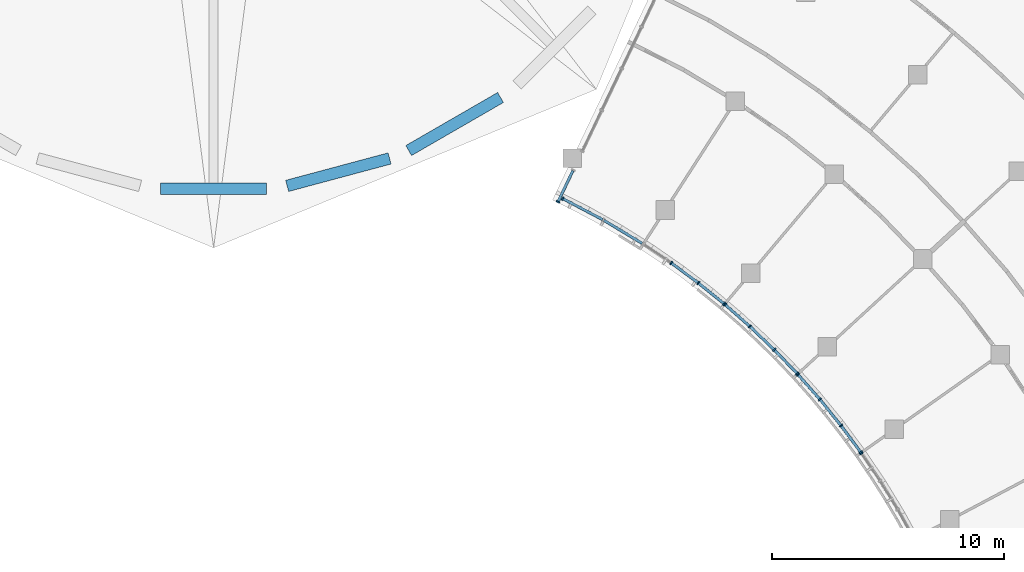
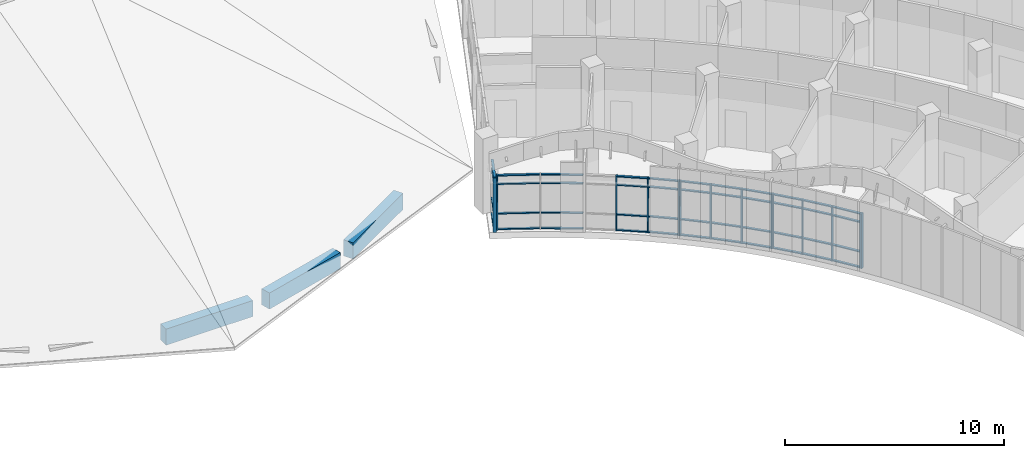
# One storey, part 7 of 137: 58 members, 3 beams, 6 elements without a shape of their own.
"""IFC4 building model written with IfcOpenShell, lengths in metres."""

from ifc_helpers import new_model, si_unit, direction, frame, origin, origin_2d, place, context, subcontext, project, spatial, rectangle, extrude, material, material_profile, profile_set, type_object, element, aggregate, save


model = new_model("IFC4")

# Units and contexts
model_context = context("Model", 3, precision=1e-05, world=origin(), true_north=direction((0.0, 1.0)))
body_context = subcontext(model_context, "Body", "Model", "MODEL_VIEW")
ifc_project = project(units=[si_unit("LENGTHUNIT", "METRE"), si_unit("AREAUNIT", "SQUARE_METRE"), si_unit("VOLUMEUNIT", "CUBIC_METRE"), si_unit("PLANEANGLEUNIT", "RADIAN"), si_unit("MASSUNIT", "GRAM", prefix="KILO")], contexts=[model_context])

# Site, building, storey
site_placement = place(None, origin())
site = spatial("IfcSite", under=ifc_project, at=site_placement, CompositionType="ELEMENT")
building_placement = place(site_placement, origin())
building = spatial("IfcBuilding", under=site, at=building_placement, Name="Bougainvillea Quay General Hospital", CompositionType="ELEMENT")
storey_placement = place(building_placement, frame((0.0, 0.0, 16.800048828125)))
storey = spatial("IfcBuildingStorey", under=building, at=storey_placement, Name="L03", CompositionType="ELEMENT", Elevation=16.800048828125)

# Curtain wall, member
ifc_material_1 = material(Name="Aluminium curtain wall system, powder-coated glazed", Category="aluminium")
curtain_wall_type_1 = type_object("IfcCurtainWallType", Name="Unitised curtain wall CW-1580", PredefinedType="NOTDEFINED", material=ifc_material_1)
curtain_wall_1_placement = place(storey_placement, origin())
curtain_wall_1 = element("IfcCurtainWall", 1, at=curtain_wall_1_placement, inside=storey, type_object=curtain_wall_type_1, Name="CW-AE 03", PredefinedType="NOTDEFINED")
ifc_material_2 = material(Name="Aluminium mullion, powder-coated charcoal", Category="aluminium")
ifc_material_profile_1 = material_profile(ifc_material_2, rectangle(XDim=0.159912109375, YDim=0.06005859375, at=origin_2d()))
ifc_profile_set_1 = profile_set([ifc_material_profile_1], Name="Aluminium mullion, powder-coated charcoal")
member_type_1 = type_object("IfcMemberType", Name="Curtain wall mullion 160x60", PredefinedType="MULLION", material=ifc_profile_set_1)
member_1_placement = place(storey_placement, frame((124.075439453125, 52.607421875, 0.0), z_axis=(0.0, 0.0, 1.0), x_axis=(0.902578440897, -0.430525444112, 0.0)))
member_1 = element("IfcMember", 2, at=member_1_placement, type_object=member_type_1, Name="CW-AE mullion 2", PredefinedType="MULLION", context=body_context, shape_type="SweptSolid", body=[
    extrude(rectangle(XDim=0.159912109375, YDim=0.06005859375, at=origin_2d()), origin(), (0.0, 0.0, 1.0), 3.050048828125),
])

curtain_wall_type_2 = type_object("IfcCurtainWallType", Name="Unitised curtain wall CW-2100", PredefinedType="NOTDEFINED", material=ifc_material_1)
curtain_wall_2_placement = place(storey_placement, origin())
curtain_wall_2 = element("IfcCurtainWall", 3, at=curtain_wall_2_placement, inside=storey, type_object=curtain_wall_type_2, Name="CW-E01 a12b0", PredefinedType="NOTDEFINED")
member_2_placement = place(storey_placement, frame((124.279541015625, 52.750732421875, 0.0), z_axis=(0.0, 0.0, 1.0), x_axis=(0.46572625668, 0.884928841116, 0.0)))
member_2 = element("IfcMember", 4, at=member_2_placement, type_object=member_type_1, Name="CW-E01 mullion 1", PredefinedType="MULLION", context=body_context, shape_type="SweptSolid", body=[
    extrude(rectangle(XDim=0.159912109375, YDim=0.06005859375, at=origin_2d()), origin(), (0.0, 0.0, 1.0), 3.050048828125),
])

# Curtain wall, members
curtain_wall_3_placement = place(storey_placement, origin())
curtain_wall_3 = element("IfcCurtainWall", 5, at=curtain_wall_3_placement, inside=storey, type_object=curtain_wall_type_2, Name="CW-E02 a12b1", PredefinedType="NOTDEFINED")
member_3_placement = place(storey_placement, frame((128.966796875, 49.97021484375, 0.0), z_axis=(0.0, 0.0, 1.0), x_axis=(0.577135687937, 0.816648270499, 0.0)))
member_3 = element("IfcMember", 6, at=member_3_placement, type_object=member_type_1, Name="CW-E02 mullion 2", PredefinedType="MULLION", context=body_context, shape_type="SweptSolid", body=[
    extrude(rectangle(XDim=0.159912109375, YDim=0.06005859375, at=origin_2d()), origin(), (0.0, 0.0, 1.0), 3.050048828125),
])
member_4_placement = place(storey_placement, frame((130.138427734375, 49.104248046875, 0.0), z_axis=(0.0, 0.0, 1.0), x_axis=(0.611342897557, 0.791365820343, 0.0)))
member_4 = element("IfcMember", 7, at=member_4_placement, type_object=member_type_1, Name="CW-E02 mullion 3", PredefinedType="MULLION", context=body_context, shape_type="SweptSolid", body=[
    extrude(rectangle(XDim=0.159912109375, YDim=0.06005859375, at=origin_2d()), origin(), (0.0, 0.0, 1.0), 3.050048828125),
])
member_5_placement = place(storey_placement, frame((131.248779296875, 48.2080078125, 0.0), z_axis=(0.0, 0.0, 1.0), x_axis=(0.628035497086, 0.778184691702, 0.0)))
member_5 = element("IfcMember", 8, at=member_5_placement, type_object=member_type_1, Name="CW-E02 mullion 4", PredefinedType="MULLION", context=body_context, shape_type="SweptSolid", body=[
    extrude(rectangle(XDim=0.159912109375, YDim=0.06005859375, at=origin_2d()), origin(), (0.0, 0.0, 1.0), 3.050048828125),
])

curtain_wall_4_placement = place(storey_placement, origin())
curtain_wall_4 = element("IfcCurtainWall", 9, at=curtain_wall_4_placement, inside=storey, type_object=curtain_wall_type_2, Name="CW-E03 a12b2", PredefinedType="NOTDEFINED")
member_6_placement = place(storey_placement, frame((131.294677734375, 48.16943359375, 0.0), z_axis=(0.0, 0.0, 1.0), x_axis=(0.660560931643, 0.750772439283, 0.0)))
member_6 = element("IfcMember", 10, at=member_6_placement, type_object=member_type_1, Name="CW-E03 mullion 1", PredefinedType="MULLION", context=body_context, shape_type="SweptSolid", body=[
    extrude(rectangle(XDim=0.159912109375, YDim=0.06005859375, at=origin_2d()), origin(), (0.0, 0.0, 1.0), 3.050048828125),
])
member_7_placement = place(storey_placement, frame((132.365966796875, 47.226806640625, 0.0), z_axis=(0.0, 0.0, 1.0), x_axis=(0.676379052625, 0.736553716419, 0.0)))
member_7 = element("IfcMember", 11, at=member_7_placement, type_object=member_type_1, Name="CW-E03 mullion 2", PredefinedType="MULLION", context=body_context, shape_type="SweptSolid", body=[
    extrude(rectangle(XDim=0.159912109375, YDim=0.06005859375, at=origin_2d()), origin(), (0.0, 0.0, 1.0), 3.050048828125),
])
member_8_placement = place(storey_placement, frame((133.417724609375, 46.218994140625, 0.0), z_axis=(0.0, 0.0, 1.0), x_axis=(0.707090325877, 0.707123236113, 0.0)))
member_8 = element("IfcMember", 12, at=member_8_placement, type_object=member_type_1, Name="CW-E03 mullion 3", PredefinedType="MULLION", context=body_context, shape_type="SweptSolid", body=[
    extrude(rectangle(XDim=0.159912109375, YDim=0.06005859375, at=origin_2d()), origin(), (0.0, 0.0, 1.0), 3.050048828125),
])
member_9_placement = place(storey_placement, frame((134.405029296875, 45.188720703125, 0.0), z_axis=(0.0, 0.0, 1.0), x_axis=(0.721969584803, 0.691924792604, 0.0)))
member_9 = element("IfcMember", 13, at=member_9_placement, type_object=member_type_1, Name="CW-E03 mullion 4", PredefinedType="MULLION", context=body_context, shape_type="SweptSolid", body=[
    extrude(rectangle(XDim=0.159912109375, YDim=0.06005859375, at=origin_2d()), origin(), (0.0, 0.0, 1.0), 3.050048828125),
])

curtain_wall_5_placement = place(storey_placement, origin())
curtain_wall_5 = element("IfcCurtainWall", 14, at=curtain_wall_5_placement, inside=storey, type_object=curtain_wall_type_2, Name="CW-E04 a12b3", PredefinedType="NOTDEFINED")
member_10_placement = place(storey_placement, frame((134.445556640625, 45.14453125, 0.0), z_axis=(0.0, 0.0, 1.0), x_axis=(0.750741694576, 0.660595873455, 0.0)))
member_10 = element("IfcMember", 15, at=member_10_placement, type_object=member_type_1, Name="CW-E04 mullion 1", PredefinedType="MULLION", context=body_context, shape_type="SweptSolid", body=[
    extrude(rectangle(XDim=0.159912109375, YDim=0.06005859375, at=origin_2d()), origin(), (0.0, 0.0, 1.0), 3.050048828125),
])
member_11_placement = place(storey_placement, frame((135.38818359375, 44.073486328125, 0.0), z_axis=(0.0, 0.0, 1.0), x_axis=(0.764621529328, 0.644479570575, 0.0)))
member_11 = element("IfcMember", 16, at=member_11_placement, type_object=member_type_1, Name="CW-E04 mullion 2", PredefinedType="MULLION", context=body_context, shape_type="SweptSolid", body=[
    extrude(rectangle(XDim=0.159912109375, YDim=0.06005859375, at=origin_2d()), origin(), (0.0, 0.0, 1.0), 3.050048828125),
])
member_12_placement = place(storey_placement, frame((136.30322265625, 42.939697265625, 0.0), z_axis=(0.0, 0.0, 1.0), x_axis=(0.791337366302, 0.611379728723, 0.0)))
member_12 = element("IfcMember", 17, at=member_12_placement, type_object=member_type_1, Name="CW-E04 mullion 3", PredefinedType="MULLION", context=body_context, shape_type="SweptSolid", body=[
    extrude(rectangle(XDim=0.159912109375, YDim=0.06005859375, at=origin_2d()), origin(), (0.0, 0.0, 1.0), 3.050048828125),
])
member_13_placement = place(storey_placement, frame((137.1513671875, 41.792236328125, 0.0), z_axis=(0.0, 0.0, 1.0), x_axis=(0.804161282658, 0.594411163652, 0.0)))
member_13 = element("IfcMember", 18, at=member_13_placement, type_object=member_type_1, Name="CW-E04 mullion 4", PredefinedType="MULLION", context=body_context, shape_type="SweptSolid", body=[
    extrude(rectangle(XDim=0.159912109375, YDim=0.06005859375, at=origin_2d()), origin(), (0.0, 0.0, 1.0), 3.050048828125),
])

# Curtain wall, member
curtain_wall_6_placement = place(storey_placement, origin())
curtain_wall_6 = element("IfcCurtainWall", 19, at=curtain_wall_6_placement, inside=storey, type_object=curtain_wall_type_2, Name="CW-E05 a12b4", PredefinedType="NOTDEFINED")
member_14_placement = place(storey_placement, frame((137.18603515625, 41.743408203125, 0.0), z_axis=(0.0, 0.0, 1.0), x_axis=(0.828712107033, 0.559675123314, 0.0)))
member_14 = element("IfcMember", 20, at=member_14_placement, type_object=member_type_1, Name="CW-E05 mullion 1", PredefinedType="MULLION", context=body_context, shape_type="SweptSolid", body=[
    extrude(rectangle(XDim=0.159912109375, YDim=0.06005859375, at=origin_2d()), origin(), (0.0, 0.0, 1.0), 3.050048828125),
])
aggregate(curtain_wall_6, [member_14])

# Member
ifc_material_3 = material(Name="Aluminium transom, powder-coated charcoal", Category="aluminium")
ifc_material_profile_2 = material_profile(ifc_material_3, rectangle(XDim=0.1201171875, YDim=0.06005859375, at=origin_2d()))
ifc_profile_set_2 = profile_set([ifc_material_profile_2], Name="Aluminium transom, powder-coated charcoal")
member_type_2 = type_object("IfcMemberType", Name="Curtain wall transom 120x60", PredefinedType="USERDEFINED", material=ifc_profile_set_2)
member_15_placement = place(storey_placement, frame((124.717041015625, 53.9521484375, 0.030029296875), z_axis=(-0.430615048018, -0.902535694818, 0.0), x_axis=(0.902535694818, -0.430615048018, 0.0)))
member_15 = element("IfcMember", 21, at=member_15_placement, type_object=member_type_2, Name="CW-AE transom 1.1", ObjectType="TRANSOM", PredefinedType="USERDEFINED", context=body_context, shape_type="SweptSolid", body=[
    extrude(rectangle(XDim=0.1201171875, YDim=0.06005859375, at=origin_2d()), origin(), (0.0, 0.0, 1.0), 1.4599609375),
])

member_16_placement = place(storey_placement, frame((124.717041015625, 53.9521484375, 0.89990234375), z_axis=(-0.430615048018, -0.902535694818, 0.0), x_axis=(0.902535694818, -0.430615048018, 0.0)))
member_16 = element("IfcMember", 22, at=member_16_placement, type_object=member_type_2, Name="CW-AE transom 1.2", ObjectType="TRANSOM", PredefinedType="USERDEFINED", context=body_context, shape_type="SweptSolid", body=[
    extrude(rectangle(XDim=0.1201171875, YDim=0.06005859375, at=origin_2d()), origin(), (0.0, 0.0, 1.0), 1.4599609375),
])

member_17_placement = place(storey_placement, frame((124.717041015625, 53.9521484375, 2.550048828125), z_axis=(-0.430615048018, -0.902535694818, 0.0), x_axis=(0.902535694818, -0.430615048018, 0.0)))
member_17 = element("IfcMember", 23, at=member_17_placement, type_object=member_type_2, Name="CW-AE transom 1.3", ObjectType="TRANSOM", PredefinedType="USERDEFINED", context=body_context, shape_type="SweptSolid", body=[
    extrude(rectangle(XDim=0.1201171875, YDim=0.06005859375, at=origin_2d()), origin(), (0.0, 0.0, 1.0), 1.4599609375),
])

member_18_placement = place(storey_placement, frame((124.717041015625, 53.9521484375, 3.02001953125), z_axis=(-0.430615048018, -0.902535694818, 0.0), x_axis=(0.902535694818, -0.430615048018, 0.0)))
member_18 = element("IfcMember", 24, at=member_18_placement, type_object=member_type_2, Name="CW-AE transom 1.4", ObjectType="TRANSOM", PredefinedType="USERDEFINED", context=body_context, shape_type="SweptSolid", body=[
    extrude(rectangle(XDim=0.1201171875, YDim=0.06005859375, at=origin_2d()), origin(), (0.0, 0.0, 1.0), 1.4599609375),
])

aggregate(curtain_wall_1, [member_1, member_15, member_16, member_17, member_18])

member_19_placement = place(storey_placement, frame((124.30615234375, 52.73681640625, 0.030029296875), z_axis=(0.884893449726, -0.465793497841, 0.0), x_axis=(0.465793497841, 0.884893449726, 0.0)))
member_19 = element("IfcMember", 25, at=member_19_placement, type_object=member_type_2, Name="CW-E01 transom 1.1", ObjectType="TRANSOM", PredefinedType="USERDEFINED", context=body_context, shape_type="SweptSolid", body=[
    extrude(rectangle(XDim=0.1201171875, YDim=0.06005859375, at=origin_2d()), origin(), (0.0, 0.0, 1.0), 1.924072265625),
])

member_20_placement = place(storey_placement, frame((124.30615234375, 52.73681640625, 0.89990234375), z_axis=(0.884893449726, -0.465793497841, 0.0), x_axis=(0.465793497841, 0.884893449726, 0.0)))
member_20 = element("IfcMember", 26, at=member_20_placement, type_object=member_type_2, Name="CW-E01 transom 1.2", ObjectType="TRANSOM", PredefinedType="USERDEFINED", context=body_context, shape_type="SweptSolid", body=[
    extrude(rectangle(XDim=0.1201171875, YDim=0.06005859375, at=origin_2d()), origin(), (0.0, 0.0, 1.0), 1.924072265625),
])

member_21_placement = place(storey_placement, frame((124.30615234375, 52.73681640625, 2.550048828125), z_axis=(0.884893449726, -0.465793497841, 0.0), x_axis=(0.465793497841, 0.884893449726, 0.0)))
member_21 = element("IfcMember", 27, at=member_21_placement, type_object=member_type_2, Name="CW-E01 transom 1.3", ObjectType="TRANSOM", PredefinedType="USERDEFINED", context=body_context, shape_type="SweptSolid", body=[
    extrude(rectangle(XDim=0.1201171875, YDim=0.06005859375, at=origin_2d()), origin(), (0.0, 0.0, 1.0), 1.924072265625),
])

member_22_placement = place(storey_placement, frame((124.30615234375, 52.73681640625, 3.02001953125), z_axis=(0.884893449726, -0.465793497841, 0.0), x_axis=(0.465793497841, 0.884893449726, 0.0)))
member_22 = element("IfcMember", 28, at=member_22_placement, type_object=member_type_2, Name="CW-E01 transom 1.4", ObjectType="TRANSOM", PredefinedType="USERDEFINED", context=body_context, shape_type="SweptSolid", body=[
    extrude(rectangle(XDim=0.1201171875, YDim=0.06005859375, at=origin_2d()), origin(), (0.0, 0.0, 1.0), 1.924072265625),
])

member_23_placement = place(storey_placement, frame((126.06103515625, 51.81103515625, 0.030029296875), z_axis=(0.856045378247, -0.516900677483, 0.0), x_axis=(0.516900677483, 0.856045378247, 0.0)))
member_23 = element("IfcMember", 29, at=member_23_placement, type_object=member_type_2, Name="CW-E01 transom 2.1", ObjectType="TRANSOM", PredefinedType="USERDEFINED", context=body_context, shape_type="SweptSolid", body=[
    extrude(rectangle(XDim=0.1201171875, YDim=0.06005859375, at=origin_2d()), origin(), (0.0, 0.0, 1.0), 1.92431640625),
])

member_24_placement = place(storey_placement, frame((126.06103515625, 51.81103515625, 0.89990234375), z_axis=(0.856045378247, -0.516900677483, 0.0), x_axis=(0.516900677483, 0.856045378247, 0.0)))
member_24 = element("IfcMember", 30, at=member_24_placement, type_object=member_type_2, Name="CW-E01 transom 2.2", ObjectType="TRANSOM", PredefinedType="USERDEFINED", context=body_context, shape_type="SweptSolid", body=[
    extrude(rectangle(XDim=0.1201171875, YDim=0.06005859375, at=origin_2d()), origin(), (0.0, 0.0, 1.0), 1.92431640625),
])

member_25_placement = place(storey_placement, frame((126.06103515625, 51.81103515625, 2.550048828125), z_axis=(0.856045378247, -0.516900677483, 0.0), x_axis=(0.516900677483, 0.856045378247, 0.0)))
member_25 = element("IfcMember", 31, at=member_25_placement, type_object=member_type_2, Name="CW-E01 transom 2.3", ObjectType="TRANSOM", PredefinedType="USERDEFINED", context=body_context, shape_type="SweptSolid", body=[
    extrude(rectangle(XDim=0.1201171875, YDim=0.06005859375, at=origin_2d()), origin(), (0.0, 0.0, 1.0), 1.92431640625),
])

member_26_placement = place(storey_placement, frame((126.06103515625, 51.81103515625, 3.02001953125), z_axis=(0.856045378247, -0.516900677483, 0.0), x_axis=(0.516900677483, 0.856045378247, 0.0)))
member_26 = element("IfcMember", 32, at=member_26_placement, type_object=member_type_2, Name="CW-E01 transom 2.4", ObjectType="TRANSOM", PredefinedType="USERDEFINED", context=body_context, shape_type="SweptSolid", body=[
    extrude(rectangle(XDim=0.1201171875, YDim=0.06005859375, at=origin_2d()), origin(), (0.0, 0.0, 1.0), 1.92431640625),
])

aggregate(curtain_wall_2, [member_2, member_19, member_20, member_21, member_22, member_23, member_24, member_25, member_26])

member_27_placement = place(storey_placement, frame((128.990966796875, 49.952392578125, 0.030029296875), z_axis=(0.804154347071, -0.594420546488, 0.0), x_axis=(0.594420546488, 0.804154347071, 0.0)))
member_27 = element("IfcMember", 33, at=member_27_placement, type_object=member_type_2, Name="CW-E02 transom 2.1", ObjectType="TRANSOM", PredefinedType="USERDEFINED", context=body_context, shape_type="SweptSolid", body=[
    extrude(rectangle(XDim=0.1201171875, YDim=0.06005859375, at=origin_2d()), origin(), (0.0, 0.0, 1.0), 1.39697265625),
])

member_28_placement = place(storey_placement, frame((128.990966796875, 49.952392578125, 0.89990234375), z_axis=(0.804154347071, -0.594420546488, 0.0), x_axis=(0.594420546488, 0.804154347071, 0.0)))
member_28 = element("IfcMember", 34, at=member_28_placement, type_object=member_type_2, Name="CW-E02 transom 2.2", ObjectType="TRANSOM", PredefinedType="USERDEFINED", context=body_context, shape_type="SweptSolid", body=[
    extrude(rectangle(XDim=0.1201171875, YDim=0.06005859375, at=origin_2d()), origin(), (0.0, 0.0, 1.0), 1.39697265625),
])

member_29_placement = place(storey_placement, frame((128.990966796875, 49.952392578125, 2.550048828125), z_axis=(0.804154347071, -0.594420546488, 0.0), x_axis=(0.594420546488, 0.804154347071, 0.0)))
member_29 = element("IfcMember", 35, at=member_29_placement, type_object=member_type_2, Name="CW-E02 transom 2.3", ObjectType="TRANSOM", PredefinedType="USERDEFINED", context=body_context, shape_type="SweptSolid", body=[
    extrude(rectangle(XDim=0.1201171875, YDim=0.06005859375, at=origin_2d()), origin(), (0.0, 0.0, 1.0), 1.39697265625),
])

member_30_placement = place(storey_placement, frame((128.990966796875, 49.952392578125, 3.02001953125), z_axis=(0.804154347071, -0.594420546488, 0.0), x_axis=(0.594420546488, 0.804154347071, 0.0)))
member_30 = element("IfcMember", 36, at=member_30_placement, type_object=member_type_2, Name="CW-E02 transom 2.4", ObjectType="TRANSOM", PredefinedType="USERDEFINED", context=body_context, shape_type="SweptSolid", body=[
    extrude(rectangle(XDim=0.1201171875, YDim=0.06005859375, at=origin_2d()), origin(), (0.0, 0.0, 1.0), 1.39697265625),
])

member_31_placement = place(storey_placement, frame((130.161865234375, 49.08544921875, 0.030029296875), z_axis=(0.778213103067, -0.628000291573, 0.0), x_axis=(0.628000291573, 0.778213103067, 0.0)))
member_31 = element("IfcMember", 37, at=member_31_placement, type_object=member_type_2, Name="CW-E02 transom 3.1", ObjectType="TRANSOM", PredefinedType="USERDEFINED", context=body_context, shape_type="SweptSolid", body=[
    extrude(rectangle(XDim=0.1201171875, YDim=0.06005859375, at=origin_2d()), origin(), (0.0, 0.0, 1.0), 1.366943359375),
])

member_32_placement = place(storey_placement, frame((130.161865234375, 49.08544921875, 0.89990234375), z_axis=(0.778213103067, -0.628000291573, 0.0), x_axis=(0.628000291573, 0.778213103067, 0.0)))
member_32 = element("IfcMember", 38, at=member_32_placement, type_object=member_type_2, Name="CW-E02 transom 3.2", ObjectType="TRANSOM", PredefinedType="USERDEFINED", context=body_context, shape_type="SweptSolid", body=[
    extrude(rectangle(XDim=0.1201171875, YDim=0.06005859375, at=origin_2d()), origin(), (0.0, 0.0, 1.0), 1.366943359375),
])

member_33_placement = place(storey_placement, frame((130.161865234375, 49.08544921875, 2.550048828125), z_axis=(0.778213103067, -0.628000291573, 0.0), x_axis=(0.628000291573, 0.778213103067, 0.0)))
member_33 = element("IfcMember", 39, at=member_33_placement, type_object=member_type_2, Name="CW-E02 transom 3.3", ObjectType="TRANSOM", PredefinedType="USERDEFINED", context=body_context, shape_type="SweptSolid", body=[
    extrude(rectangle(XDim=0.1201171875, YDim=0.06005859375, at=origin_2d()), origin(), (0.0, 0.0, 1.0), 1.366943359375),
])

member_34_placement = place(storey_placement, frame((130.161865234375, 49.08544921875, 3.02001953125), z_axis=(0.778213103067, -0.628000291573, 0.0), x_axis=(0.628000291573, 0.778213103067, 0.0)))
member_34 = element("IfcMember", 40, at=member_34_placement, type_object=member_type_2, Name="CW-E02 transom 3.4", ObjectType="TRANSOM", PredefinedType="USERDEFINED", context=body_context, shape_type="SweptSolid", body=[
    extrude(rectangle(XDim=0.1201171875, YDim=0.06005859375, at=origin_2d()), origin(), (0.0, 0.0, 1.0), 1.366943359375),
])

aggregate(curtain_wall_3, [member_3, member_4, member_5, member_27, member_28, member_29, member_30, member_31, member_32, member_33, member_34])

member_35_placement = place(storey_placement, frame((131.317138671875, 48.149658203125, 0.030029296875), z_axis=(0.750848138241, -0.660474884685, 0.0), x_axis=(0.660474884685, 0.750848138241, 0.0)))
member_35 = element("IfcMember", 41, at=member_35_placement, type_object=member_type_2, Name="CW-E03 transom 1.1", ObjectType="TRANSOM", PredefinedType="USERDEFINED", context=body_context, shape_type="SweptSolid", body=[
    extrude(rectangle(XDim=0.1201171875, YDim=0.06005859375, at=origin_2d()), origin(), (0.0, 0.0, 1.0), 1.366943359375),
])

member_36_placement = place(storey_placement, frame((131.317138671875, 48.149658203125, 0.89990234375), z_axis=(0.750848138241, -0.660474884685, 0.0), x_axis=(0.660474884685, 0.750848138241, 0.0)))
member_36 = element("IfcMember", 42, at=member_36_placement, type_object=member_type_2, Name="CW-E03 transom 1.2", ObjectType="TRANSOM", PredefinedType="USERDEFINED", context=body_context, shape_type="SweptSolid", body=[
    extrude(rectangle(XDim=0.1201171875, YDim=0.06005859375, at=origin_2d()), origin(), (0.0, 0.0, 1.0), 1.366943359375),
])

member_37_placement = place(storey_placement, frame((131.317138671875, 48.149658203125, 2.550048828125), z_axis=(0.750848138241, -0.660474884685, 0.0), x_axis=(0.660474884685, 0.750848138241, 0.0)))
member_37 = element("IfcMember", 43, at=member_37_placement, type_object=member_type_2, Name="CW-E03 transom 1.3", ObjectType="TRANSOM", PredefinedType="USERDEFINED", context=body_context, shape_type="SweptSolid", body=[
    extrude(rectangle(XDim=0.1201171875, YDim=0.06005859375, at=origin_2d()), origin(), (0.0, 0.0, 1.0), 1.366943359375),
])

member_38_placement = place(storey_placement, frame((131.317138671875, 48.149658203125, 3.02001953125), z_axis=(0.750848138241, -0.660474884685, 0.0), x_axis=(0.660474884685, 0.750848138241, 0.0)))
member_38 = element("IfcMember", 44, at=member_38_placement, type_object=member_type_2, Name="CW-E03 transom 1.4", ObjectType="TRANSOM", PredefinedType="USERDEFINED", context=body_context, shape_type="SweptSolid", body=[
    extrude(rectangle(XDim=0.1201171875, YDim=0.06005859375, at=origin_2d()), origin(), (0.0, 0.0, 1.0), 1.366943359375),
])

member_39_placement = place(storey_placement, frame((132.3876953125, 47.2060546875, 0.030029296875), z_axis=(0.722064602887, -0.69182563501, 0.0), x_axis=(0.69182563501, 0.722064602887, 0.0)))
member_39 = element("IfcMember", 45, at=member_39_placement, type_object=member_type_2, Name="CW-E03 transom 2.1", ObjectType="TRANSOM", PredefinedType="USERDEFINED", context=body_context, shape_type="SweptSolid", body=[
    extrude(rectangle(XDim=0.1201171875, YDim=0.06005859375, at=origin_2d()), origin(), (0.0, 0.0, 1.0), 1.396728515625),
])

member_40_placement = place(storey_placement, frame((132.3876953125, 47.2060546875, 0.89990234375), z_axis=(0.722064602887, -0.69182563501, 0.0), x_axis=(0.69182563501, 0.722064602887, 0.0)))
member_40 = element("IfcMember", 46, at=member_40_placement, type_object=member_type_2, Name="CW-E03 transom 2.2", ObjectType="TRANSOM", PredefinedType="USERDEFINED", context=body_context, shape_type="SweptSolid", body=[
    extrude(rectangle(XDim=0.1201171875, YDim=0.06005859375, at=origin_2d()), origin(), (0.0, 0.0, 1.0), 1.396728515625),
])

member_41_placement = place(storey_placement, frame((132.3876953125, 47.2060546875, 2.550048828125), z_axis=(0.722064602887, -0.69182563501, 0.0), x_axis=(0.69182563501, 0.722064602887, 0.0)))
member_41 = element("IfcMember", 47, at=member_41_placement, type_object=member_type_2, Name="CW-E03 transom 2.3", ObjectType="TRANSOM", PredefinedType="USERDEFINED", context=body_context, shape_type="SweptSolid", body=[
    extrude(rectangle(XDim=0.1201171875, YDim=0.06005859375, at=origin_2d()), origin(), (0.0, 0.0, 1.0), 1.396728515625),
])

member_42_placement = place(storey_placement, frame((132.3876953125, 47.2060546875, 3.02001953125), z_axis=(0.722064602887, -0.69182563501, 0.0), x_axis=(0.69182563501, 0.722064602887, 0.0)))
member_42 = element("IfcMember", 48, at=member_42_placement, type_object=member_type_2, Name="CW-E03 transom 2.4", ObjectType="TRANSOM", PredefinedType="USERDEFINED", context=body_context, shape_type="SweptSolid", body=[
    extrude(rectangle(XDim=0.1201171875, YDim=0.06005859375, at=origin_2d()), origin(), (0.0, 0.0, 1.0), 1.396728515625),
])

member_43_placement = place(storey_placement, frame((133.4384765625, 46.197265625, 0.030029296875), z_axis=(0.691944155864, -0.721951026847, 0.0), x_axis=(0.721951026847, 0.691944155864, 0.0)))
member_43 = element("IfcMember", 49, at=member_43_placement, type_object=member_type_2, Name="CW-E03 transom 3.1", ObjectType="TRANSOM", PredefinedType="USERDEFINED", context=body_context, shape_type="SweptSolid", body=[
    extrude(rectangle(XDim=0.1201171875, YDim=0.06005859375, at=origin_2d()), origin(), (0.0, 0.0, 1.0), 1.366943359375),
])

member_44_placement = place(storey_placement, frame((133.4384765625, 46.197265625, 0.89990234375), z_axis=(0.691944155864, -0.721951026847, 0.0), x_axis=(0.721951026847, 0.691944155864, 0.0)))
member_44 = element("IfcMember", 50, at=member_44_placement, type_object=member_type_2, Name="CW-E03 transom 3.2", ObjectType="TRANSOM", PredefinedType="USERDEFINED", context=body_context, shape_type="SweptSolid", body=[
    extrude(rectangle(XDim=0.1201171875, YDim=0.06005859375, at=origin_2d()), origin(), (0.0, 0.0, 1.0), 1.366943359375),
])

member_45_placement = place(storey_placement, frame((133.4384765625, 46.197265625, 2.550048828125), z_axis=(0.691944155864, -0.721951026847, 0.0), x_axis=(0.721951026847, 0.691944155864, 0.0)))
member_45 = element("IfcMember", 51, at=member_45_placement, type_object=member_type_2, Name="CW-E03 transom 3.3", ObjectType="TRANSOM", PredefinedType="USERDEFINED", context=body_context, shape_type="SweptSolid", body=[
    extrude(rectangle(XDim=0.1201171875, YDim=0.06005859375, at=origin_2d()), origin(), (0.0, 0.0, 1.0), 1.366943359375),
])

member_46_placement = place(storey_placement, frame((133.4384765625, 46.197265625, 3.02001953125), z_axis=(0.691944155864, -0.721951026847, 0.0), x_axis=(0.721951026847, 0.691944155864, 0.0)))
member_46 = element("IfcMember", 52, at=member_46_placement, type_object=member_type_2, Name="CW-E03 transom 3.4", ObjectType="TRANSOM", PredefinedType="USERDEFINED", context=body_context, shape_type="SweptSolid", body=[
    extrude(rectangle(XDim=0.1201171875, YDim=0.06005859375, at=origin_2d()), origin(), (0.0, 0.0, 1.0), 1.366943359375),
])

aggregate(curtain_wall_4, [member_6, member_7, member_8, member_9, member_35, member_36, member_37, member_38, member_39, member_40, member_41, member_42, member_43, member_44, member_45, member_46])

member_47_placement = place(storey_placement, frame((134.465576171875, 45.1220703125, 0.030029296875), z_axis=(0.660563464246, -0.750770210986, 0.0), x_axis=(0.750770210986, 0.660563464246, 0.0)))
member_47 = element("IfcMember", 53, at=member_47_placement, type_object=member_type_2, Name="CW-E04 transom 1.1", ObjectType="TRANSOM", PredefinedType="USERDEFINED", context=body_context, shape_type="SweptSolid", body=[
    extrude(rectangle(XDim=0.1201171875, YDim=0.06005859375, at=origin_2d()), origin(), (0.0, 0.0, 1.0), 1.36669921875),
])

member_48_placement = place(storey_placement, frame((134.465576171875, 45.1220703125, 0.89990234375), z_axis=(0.660563464246, -0.750770210986, 0.0), x_axis=(0.750770210986, 0.660563464246, 0.0)))
member_48 = element("IfcMember", 54, at=member_48_placement, type_object=member_type_2, Name="CW-E04 transom 1.2", ObjectType="TRANSOM", PredefinedType="USERDEFINED", context=body_context, shape_type="SweptSolid", body=[
    extrude(rectangle(XDim=0.1201171875, YDim=0.06005859375, at=origin_2d()), origin(), (0.0, 0.0, 1.0), 1.36669921875),
])

member_49_placement = place(storey_placement, frame((134.465576171875, 45.1220703125, 2.550048828125), z_axis=(0.660563464246, -0.750770210986, 0.0), x_axis=(0.750770210986, 0.660563464246, 0.0)))
member_49 = element("IfcMember", 55, at=member_49_placement, type_object=member_type_2, Name="CW-E04 transom 1.3", ObjectType="TRANSOM", PredefinedType="USERDEFINED", context=body_context, shape_type="SweptSolid", body=[
    extrude(rectangle(XDim=0.1201171875, YDim=0.06005859375, at=origin_2d()), origin(), (0.0, 0.0, 1.0), 1.36669921875),
])

member_50_placement = place(storey_placement, frame((134.465576171875, 45.1220703125, 3.02001953125), z_axis=(0.660563464246, -0.750770210986, 0.0), x_axis=(0.750770210986, 0.660563464246, 0.0)))
member_50 = element("IfcMember", 56, at=member_50_placement, type_object=member_type_2, Name="CW-E04 transom 1.4", ObjectType="TRANSOM", PredefinedType="USERDEFINED", context=body_context, shape_type="SweptSolid", body=[
    extrude(rectangle(XDim=0.1201171875, YDim=0.06005859375, at=origin_2d()), origin(), (0.0, 0.0, 1.0), 1.36669921875),
])

member_51_placement = place(storey_placement, frame((135.406982421875, 44.050048828125, 0.030029296875), z_axis=(0.628141814812, -0.778098875777, 0.0), x_axis=(0.778098875777, 0.628141814812, 0.0)))
member_51 = element("IfcMember", 57, at=member_51_placement, type_object=member_type_2, Name="CW-E04 transom 2.1", ObjectType="TRANSOM", PredefinedType="USERDEFINED", context=body_context, shape_type="SweptSolid", body=[
    extrude(rectangle(XDim=0.1201171875, YDim=0.06005859375, at=origin_2d()), origin(), (0.0, 0.0, 1.0), 1.39697265625),
])

member_52_placement = place(storey_placement, frame((135.406982421875, 44.050048828125, 0.89990234375), z_axis=(0.628141814812, -0.778098875777, 0.0), x_axis=(0.778098875777, 0.628141814812, 0.0)))
member_52 = element("IfcMember", 58, at=member_52_placement, type_object=member_type_2, Name="CW-E04 transom 2.2", ObjectType="TRANSOM", PredefinedType="USERDEFINED", context=body_context, shape_type="SweptSolid", body=[
    extrude(rectangle(XDim=0.1201171875, YDim=0.06005859375, at=origin_2d()), origin(), (0.0, 0.0, 1.0), 1.39697265625),
])

member_53_placement = place(storey_placement, frame((135.406982421875, 44.050048828125, 2.550048828125), z_axis=(0.628141814812, -0.778098875777, 0.0), x_axis=(0.778098875777, 0.628141814812, 0.0)))
member_53 = element("IfcMember", 59, at=member_53_placement, type_object=member_type_2, Name="CW-E04 transom 2.3", ObjectType="TRANSOM", PredefinedType="USERDEFINED", context=body_context, shape_type="SweptSolid", body=[
    extrude(rectangle(XDim=0.1201171875, YDim=0.06005859375, at=origin_2d()), origin(), (0.0, 0.0, 1.0), 1.39697265625),
])

member_54_placement = place(storey_placement, frame((135.406982421875, 44.050048828125, 3.02001953125), z_axis=(0.628141814812, -0.778098875777, 0.0), x_axis=(0.778098875777, 0.628141814812, 0.0)))
member_54 = element("IfcMember", 60, at=member_54_placement, type_object=member_type_2, Name="CW-E04 transom 2.4", ObjectType="TRANSOM", PredefinedType="USERDEFINED", context=body_context, shape_type="SweptSolid", body=[
    extrude(rectangle(XDim=0.1201171875, YDim=0.06005859375, at=origin_2d()), origin(), (0.0, 0.0, 1.0), 1.39697265625),
])

member_55_placement = place(storey_placement, frame((136.321044921875, 42.91552734375, 0.030029296875), z_axis=(0.594441282639, -0.804139018762, 0.0), x_axis=(0.804139018762, 0.594441282639, 0.0)))
member_55 = element("IfcMember", 61, at=member_55_placement, type_object=member_type_2, Name="CW-E04 transom 3.1", ObjectType="TRANSOM", PredefinedType="USERDEFINED", context=body_context, shape_type="SweptSolid", body=[
    extrude(rectangle(XDim=0.1201171875, YDim=0.06005859375, at=origin_2d()), origin(), (0.0, 0.0, 1.0), 1.366943359375),
])

member_56_placement = place(storey_placement, frame((136.321044921875, 42.91552734375, 0.89990234375), z_axis=(0.594441282639, -0.804139018762, 0.0), x_axis=(0.804139018762, 0.594441282639, 0.0)))
member_56 = element("IfcMember", 62, at=member_56_placement, type_object=member_type_2, Name="CW-E04 transom 3.2", ObjectType="TRANSOM", PredefinedType="USERDEFINED", context=body_context, shape_type="SweptSolid", body=[
    extrude(rectangle(XDim=0.1201171875, YDim=0.06005859375, at=origin_2d()), origin(), (0.0, 0.0, 1.0), 1.366943359375),
])

member_57_placement = place(storey_placement, frame((136.321044921875, 42.91552734375, 2.550048828125), z_axis=(0.594441282639, -0.804139018762, 0.0), x_axis=(0.804139018762, 0.594441282639, 0.0)))
member_57 = element("IfcMember", 63, at=member_57_placement, type_object=member_type_2, Name="CW-E04 transom 3.3", ObjectType="TRANSOM", PredefinedType="USERDEFINED", context=body_context, shape_type="SweptSolid", body=[
    extrude(rectangle(XDim=0.1201171875, YDim=0.06005859375, at=origin_2d()), origin(), (0.0, 0.0, 1.0), 1.366943359375),
])

member_58_placement = place(storey_placement, frame((136.321044921875, 42.91552734375, 3.02001953125), z_axis=(0.594441282639, -0.804139018762, 0.0), x_axis=(0.804139018762, 0.594441282639, 0.0)))
member_58 = element("IfcMember", 64, at=member_58_placement, type_object=member_type_2, Name="CW-E04 transom 3.4", ObjectType="TRANSOM", PredefinedType="USERDEFINED", context=body_context, shape_type="SweptSolid", body=[
    extrude(rectangle(XDim=0.1201171875, YDim=0.06005859375, at=origin_2d()), origin(), (0.0, 0.0, 1.0), 1.366943359375),
])

aggregate(curtain_wall_5, [member_10, member_11, member_12, member_13, member_47, member_48, member_49, member_50, member_51, member_52, member_53, member_54, member_55, member_56, member_57, member_58])

# Beams
ifc_material_4 = material(Name="Concrete C40", Category="concrete")
ifc_material_profile_3 = material_profile(ifc_material_4, rectangle(XDim=0.5, YDim=0.89990234375, at=origin_2d()))
ifc_profile_set_3 = profile_set([ifc_material_profile_3], Name="Concrete C40")
beam_type = type_object("IfcBeamType", Name="RC BEAM 500x900 C40", PredefinedType="BEAM", material=ifc_profile_set_3)
beam_1_placement = place(storey_placement, frame((106.908935546875, 53.179931640625, -0.0517578125), z_axis=(1.0, 0.0, 0.0), x_axis=(0.0, 1.0, 0.0)))
element("IfcBeam", 65, at=beam_1_placement, inside=storey, type_object=beam_type, Name="Beam ROOF-V1-ER-18", PredefinedType="BEAM", context=body_context, shape_type="SweptSolid", body=[
    extrude(rectangle(XDim=0.5, YDim=0.89990234375, at=origin_2d()), origin(), (0.0, 0.0, 1.0), 4.58203125),
])
beam_2_placement = place(storey_placement, frame((112.375732421875, 53.29638671875, -0.0517578125), z_axis=(0.965914035924, 0.258863043334, 0.0), x_axis=(-0.258863043334, 0.965914035924, 0.0)))
element("IfcBeam", 66, at=beam_2_placement, inside=storey, type_object=beam_type, Name="Beam ROOF-V1-ER-19", PredefinedType="BEAM", context=body_context, shape_type="SweptSolid", body=[
    extrude(rectangle(XDim=0.5, YDim=0.89990234375, at=origin_2d()), origin(), (0.0, 0.0, 1.0), 4.581787109375),
])
beam_3_placement = place(storey_placement, frame((117.625732421875, 54.823974609375, -0.0517578125), z_axis=(0.866044519823, 0.499966888589, 0.0), x_axis=(-0.499966888589, 0.866044519823, 0.0)))
element("IfcBeam", 67, at=beam_3_placement, inside=storey, type_object=beam_type, Name="Beam ROOF-V1-ER-20", PredefinedType="BEAM", context=body_context, shape_type="SweptSolid", body=[
    extrude(rectangle(XDim=0.5, YDim=0.89990234375, at=origin_2d()), origin(), (0.0, 0.0, 1.0), 4.582275390625),
])

save(model, "model.ifc")
